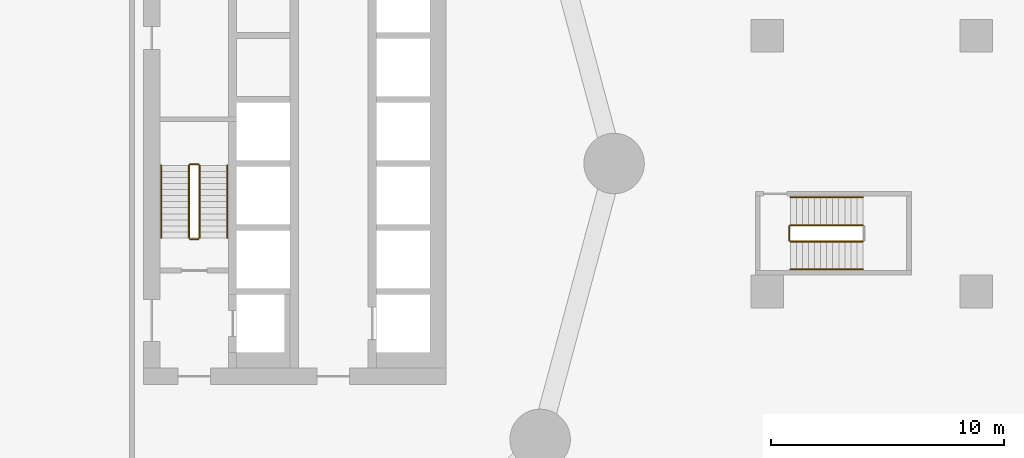
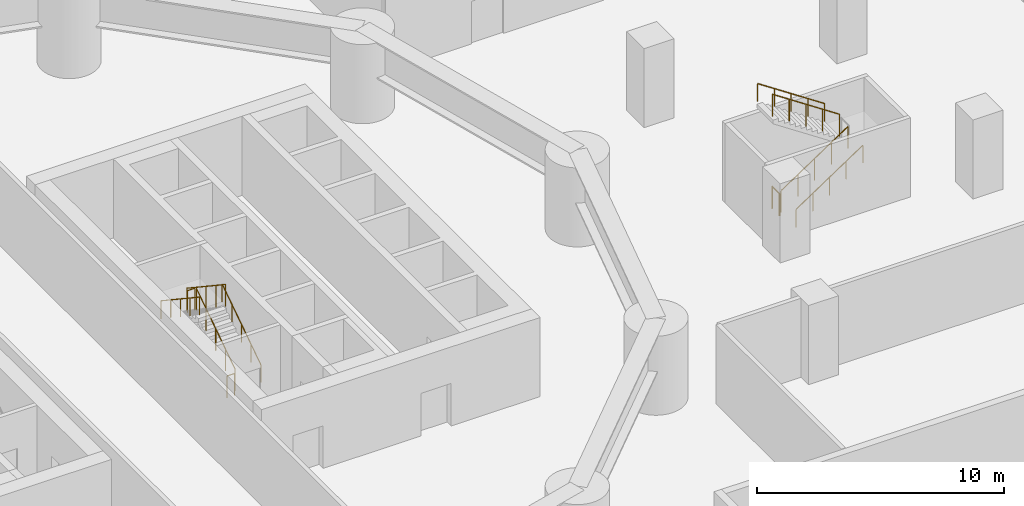
# One storey, part 14 of 16: 11 railings.
"""IFC4 building model written with IfcOpenShell, lengths in metres."""

from ifc_helpers import new_model, si_unit, direction, frame, origin, origin_2d, place, context, subcontext, project, spatial, circle, extrude, material, type_object, element, save


model = new_model("IFC4")

# Units and contexts
model_context = context("Model", 3, precision=1e-05, world=origin(), true_north=direction((0.0, 1.0)))
body_context = subcontext(model_context, "Body", "Model", "MODEL_VIEW")
ifc_project = project(units=[si_unit("LENGTHUNIT", "METRE"), si_unit("AREAUNIT", "SQUARE_METRE"), si_unit("VOLUMEUNIT", "CUBIC_METRE"), si_unit("PLANEANGLEUNIT", "RADIAN"), si_unit("MASSUNIT", "GRAM", prefix="KILO")], contexts=[model_context])

# Site, building, storey
site_placement = place(None, origin())
site = spatial("IfcSite", under=ifc_project, at=site_placement, CompositionType="ELEMENT")
building_placement = place(site_placement, origin())
building = spatial("IfcBuilding", under=site, at=building_placement, Name="Tamarind Cross Interchange Tower", CompositionType="ELEMENT")
storey_placement = place(building_placement, frame((0.0, 0.0, 25.0)))
storey = spatial("IfcBuildingStorey", under=building, at=storey_placement, Name="L04", CompositionType="ELEMENT", Elevation=25.0)

# Railings
ifc_material_1 = material(Name="Stair guard")
railing_type_1 = type_object("IfcRailingType", Name="Stair guard", PredefinedType="GUARDRAIL", material=ifc_material_1)
railing_1_placement = place(storey_placement, frame((5.89990234375, -3.199951171875, 0.173095703125)))
element("IfcRailing", 1, at=railing_1_placement, inside=storey, type_object=railing_type_1, Name="L04 ST2 stair guard 1", PredefinedType="GUARDRAIL", context=body_context, shape_type="SweptSolid", body=[
    extrude(circle(Radius=0.02392578125, at=origin_2d()), frame((0.0, 0.0, 1.076171875), z_axis=(0.0, 0.832420903958, 0.554143879018), x_axis=(-1.0, 0.0, 0.0)), (0.0, 0.0, 1.0), 3.748046875),
    extrude(circle(Radius=0.02099609375, at=origin_2d()), origin(), (0.0, 0.0, 1.0), 1.052001953125),
    extrude(circle(Radius=0.02099609375, at=origin_2d()), frame((0.0, 0.780029296875, 0.519287109375)), (0.0, 0.0, 1.0), 1.052001953125),
    extrude(circle(Radius=0.02099609375, at=origin_2d()), frame((0.0, 1.56005859375, 1.03857421875)), (0.0, 0.0, 1.0), 1.052001953125),
    extrude(circle(Radius=0.02099609375, at=origin_2d()), frame((0.0, 2.33984375, 1.5576171875)), (0.0, 0.0, 1.0), 1.052001953125),
    extrude(circle(Radius=0.02099609375, at=origin_2d()), frame((0.0, 3.119873046875, 2.076904296875)), (0.0, 0.0, 1.0), 1.052001953125),
])
railing_2_placement = place(storey_placement, frame((5.85009765625, -0.030029296875, 2.25)))
element("IfcRailing", 2, at=railing_2_placement, inside=storey, type_object=railing_type_1, Name="L04 ST2 stair guard 2", PredefinedType="GUARDRAIL", context=body_context, shape_type="SweptSolid", body=[
    extrude(circle(Radius=0.02392578125, at=origin_2d()), frame((0.0, 0.0, 1.076171875), z_axis=(-1.0, 0.0, 0.0), x_axis=(0.0, -1.0, 0.0)), (0.0, 0.0, 1.0), 0.35009765625),
    extrude(circle(Radius=0.02099609375, at=origin_2d()), origin(), (0.0, 0.0, 1.0), 1.052001953125),
    extrude(circle(Radius=0.02099609375, at=origin_2d()), frame((-0.35009765625, 0.0, 0.0)), (0.0, 0.0, 1.0), 1.052001953125),
])
railing_3_placement = place(storey_placement, frame((5.449951171875, -0.080078125, 2.423095703125)))
element("IfcRailing", 3, at=railing_3_placement, inside=storey, type_object=railing_type_1, Name="L04 ST2 stair guard 3", PredefinedType="GUARDRAIL", context=body_context, shape_type="SweptSolid", body=[
    extrude(circle(Radius=0.02392578125, at=origin_2d()), frame((0.0, 0.0, 1.076171875), z_axis=(0.0, -0.832420903958, 0.554143879018), x_axis=(1.0, 0.0, 0.0)), (0.0, 0.0, 1.0), 3.748046875),
    extrude(circle(Radius=0.02099609375, at=origin_2d()), origin(), (0.0, 0.0, 1.0), 1.052001953125),
    extrude(circle(Radius=0.02099609375, at=origin_2d()), frame((0.0, -0.780029296875, 0.519287109375)), (0.0, 0.0, 1.0), 1.052001953125),
    extrude(circle(Radius=0.02099609375, at=origin_2d()), frame((0.0, -1.56005859375, 1.03857421875)), (0.0, 0.0, 1.0), 1.052001953125),
    extrude(circle(Radius=0.02099609375, at=origin_2d()), frame((0.0, -2.33984375, 1.5576171875)), (0.0, 0.0, 1.0), 1.052001953125),
    extrude(circle(Radius=0.02099609375, at=origin_2d()), frame((0.0, -3.119873046875, 2.076904296875)), (0.0, 0.0, 1.0), 1.052001953125),
])
railing_4_placement = place(storey_placement, frame((5.85009765625, -3.25, 0.0)))
element("IfcRailing", 4, at=railing_4_placement, inside=storey, type_object=railing_type_1, Name="L04 ST2 stair guard 4", PredefinedType="GUARDRAIL", context=body_context, shape_type="SweptSolid", body=[
    extrude(circle(Radius=0.02392578125, at=origin_2d()), frame((0.0, 0.0, 1.076171875), z_axis=(-1.0, 0.0, 0.0), x_axis=(0.0, -1.0, 0.0)), (0.0, 0.0, 1.0), 0.35009765625),
    extrude(circle(Radius=0.02099609375, at=origin_2d()), origin(), (0.0, 0.0, 1.0), 1.052001953125),
    extrude(circle(Radius=0.02099609375, at=origin_2d()), frame((-0.35009765625, 0.0, 0.0)), (0.0, 0.0, 1.0), 1.052001953125),
])
railing_5_placement = place(storey_placement, frame((31.300048828125, -3.35009765625, 0.173095703125)))
element("IfcRailing", 5, at=railing_5_placement, inside=storey, type_object=railing_type_1, Name="L04 ST3 stair guard 1", PredefinedType="GUARDRAIL", context=body_context, shape_type="SweptSolid", body=[
    extrude(circle(Radius=0.02392578125, at=origin_2d()), frame((0.0, 0.0, 1.076171875), z_axis=(0.832420903958, 0.0, 0.554143879018), x_axis=(0.0, 1.0, 0.0)), (0.0, 0.0, 1.0), 3.748046875),
    extrude(circle(Radius=0.02099609375, at=origin_2d()), origin(), (0.0, 0.0, 1.0), 1.052001953125),
    extrude(circle(Radius=0.02099609375, at=origin_2d()), frame((0.780029296875, 0.0, 0.519287109375)), (0.0, 0.0, 1.0), 1.052001953125),
    extrude(circle(Radius=0.02099609375, at=origin_2d()), frame((1.56005859375, 0.0, 1.03857421875)), (0.0, 0.0, 1.0), 1.052001953125),
    extrude(circle(Radius=0.02099609375, at=origin_2d()), frame((2.33984375, 0.0, 1.5576171875)), (0.0, 0.0, 1.0), 1.052001953125),
    extrude(circle(Radius=0.02099609375, at=origin_2d()), frame((3.119873046875, 0.0, 2.076904296875)), (0.0, 0.0, 1.0), 1.052001953125),
])
railing_6_placement = place(storey_placement, frame((34.419921875, -2.64990234375, 2.423095703125)))
element("IfcRailing", 6, at=railing_6_placement, inside=storey, type_object=railing_type_1, Name="L04 ST3 stair guard 3", PredefinedType="GUARDRAIL", context=body_context, shape_type="SweptSolid", body=[
    extrude(circle(Radius=0.02392578125, at=origin_2d()), frame((0.0, 0.0, 1.076171875), z_axis=(-0.832420903958, 0.0, 0.554143879018), x_axis=(0.0, -1.0, 0.0)), (0.0, 0.0, 1.0), 3.748046875),
    extrude(circle(Radius=0.02099609375, at=origin_2d()), origin(), (0.0, 0.0, 1.0), 1.052001953125),
    extrude(circle(Radius=0.02099609375, at=origin_2d()), frame((-0.780029296875, 0.0, 0.519287109375)), (0.0, 0.0, 1.0), 1.052001953125),
    extrude(circle(Radius=0.02099609375, at=origin_2d()), frame((-1.56005859375, 0.0, 1.03857421875)), (0.0, 0.0, 1.0), 1.052001953125),
    extrude(circle(Radius=0.02099609375, at=origin_2d()), frame((-2.33984375, 0.0, 1.5576171875)), (0.0, 0.0, 1.0), 1.052001953125),
    extrude(circle(Radius=0.02099609375, at=origin_2d()), frame((-3.119873046875, 0.0, 2.076904296875)), (0.0, 0.0, 1.0), 1.052001953125),
])
railing_7_placement = place(storey_placement, frame((31.25, -3.300048828125, 0.0)))
element("IfcRailing", 7, at=railing_7_placement, inside=storey, type_object=railing_type_1, Name="L04 ST3 stair guard 4", PredefinedType="GUARDRAIL", context=body_context, shape_type="SweptSolid", body=[
    extrude(circle(Radius=0.02392578125, at=origin_2d()), frame((0.0, 0.0, 1.076171875), z_axis=(0.0, 1.0, 0.0), x_axis=(-1.0, 0.0, 0.0)), (0.0, 0.0, 1.0), 0.60009765625),
    extrude(circle(Radius=0.02099609375, at=origin_2d()), origin(), (0.0, 0.0, 1.0), 1.052001953125),
    extrude(circle(Radius=0.02099609375, at=origin_2d()), frame((0.0, 0.60009765625, 0.0)), (0.0, 0.0, 1.0), 1.052001953125),
])
ifc_material_2 = material(Name="Stair handrail")
railing_type_2 = type_object("IfcRailingType", Name="Stair handrail", PredefinedType="HANDRAIL", material=ifc_material_2)
railing_8_placement = place(storey_placement, frame((7.10009765625, -3.199951171875, 0.173095703125)))
element("IfcRailing", 8, at=railing_8_placement, inside=storey, type_object=railing_type_2, Name="L04 ST2 stair handrail 1", PredefinedType="HANDRAIL", context=body_context, shape_type="SweptSolid", body=[
    extrude(circle(Radius=0.02392578125, at=origin_2d()), frame((0.0, 0.0, 0.8759765625), z_axis=(0.0, 0.832420903958, 0.554143879018), x_axis=(-1.0, 0.0, 0.0)), (0.0, 0.0, 1.0), 3.748046875),
    extrude(circle(Radius=0.02099609375, at=origin_2d()), origin(), (0.0, 0.0, 1.0), 0.851806640625),
    extrude(circle(Radius=0.02099609375, at=origin_2d()), frame((0.0, 0.780029296875, 0.519287109375)), (0.0, 0.0, 1.0), 0.851806640625),
    extrude(circle(Radius=0.02099609375, at=origin_2d()), frame((0.0, 1.56005859375, 1.03857421875)), (0.0, 0.0, 1.0), 0.851806640625),
    extrude(circle(Radius=0.02099609375, at=origin_2d()), frame((0.0, 2.33984375, 1.5576171875)), (0.0, 0.0, 1.0), 0.851806640625),
    extrude(circle(Radius=0.02099609375, at=origin_2d()), frame((0.0, 3.119873046875, 2.076904296875)), (0.0, 0.0, 1.0), 0.851806640625),
])
railing_9_placement = place(storey_placement, frame((4.25, -0.080078125, 2.423095703125)))
element("IfcRailing", 9, at=railing_9_placement, inside=storey, type_object=railing_type_2, Name="L04 ST2 stair handrail 2", PredefinedType="HANDRAIL", context=body_context, shape_type="SweptSolid", body=[
    extrude(circle(Radius=0.02392578125, at=origin_2d()), frame((0.0, 0.0, 0.8759765625), z_axis=(0.0, -0.832420903958, 0.554143879018), x_axis=(1.0, 0.0, 0.0)), (0.0, 0.0, 1.0), 3.748046875),
    extrude(circle(Radius=0.02099609375, at=origin_2d()), origin(), (0.0, 0.0, 1.0), 0.851806640625),
    extrude(circle(Radius=0.02099609375, at=origin_2d()), frame((0.0, -0.780029296875, 0.519287109375)), (0.0, 0.0, 1.0), 0.851806640625),
    extrude(circle(Radius=0.02099609375, at=origin_2d()), frame((0.0, -1.56005859375, 1.03857421875)), (0.0, 0.0, 1.0), 0.851806640625),
    extrude(circle(Radius=0.02099609375, at=origin_2d()), frame((0.0, -2.33984375, 1.5576171875)), (0.0, 0.0, 1.0), 0.851806640625),
    extrude(circle(Radius=0.02099609375, at=origin_2d()), frame((0.0, -3.119873046875, 2.076904296875)), (0.0, 0.0, 1.0), 0.851806640625),
])
railing_10_placement = place(storey_placement, frame((31.300048828125, -4.550048828125, 0.173095703125)))
element("IfcRailing", 10, at=railing_10_placement, inside=storey, type_object=railing_type_2, Name="L04 ST3 stair handrail 1", PredefinedType="HANDRAIL", context=body_context, shape_type="SweptSolid", body=[
    extrude(circle(Radius=0.02392578125, at=origin_2d()), frame((0.0, 0.0, 0.8759765625), z_axis=(0.832420903958, 0.0, 0.554143879018), x_axis=(0.0, 1.0, 0.0)), (0.0, 0.0, 1.0), 3.748046875),
    extrude(circle(Radius=0.02099609375, at=origin_2d()), origin(), (0.0, 0.0, 1.0), 0.851806640625),
    extrude(circle(Radius=0.02099609375, at=origin_2d()), frame((0.780029296875, 0.0, 0.519287109375)), (0.0, 0.0, 1.0), 0.851806640625),
    extrude(circle(Radius=0.02099609375, at=origin_2d()), frame((1.56005859375, 0.0, 1.03857421875)), (0.0, 0.0, 1.0), 0.851806640625),
    extrude(circle(Radius=0.02099609375, at=origin_2d()), frame((2.33984375, 0.0, 1.5576171875)), (0.0, 0.0, 1.0), 0.851806640625),
    extrude(circle(Radius=0.02099609375, at=origin_2d()), frame((3.119873046875, 0.0, 2.076904296875)), (0.0, 0.0, 1.0), 0.851806640625),
])
railing_11_placement = place(storey_placement, frame((34.419921875, -1.449951171875, 2.423095703125)))
element("IfcRailing", 11, at=railing_11_placement, inside=storey, type_object=railing_type_2, Name="L04 ST3 stair handrail 2", PredefinedType="HANDRAIL", context=body_context, shape_type="SweptSolid", body=[
    extrude(circle(Radius=0.02392578125, at=origin_2d()), frame((0.0, 0.0, 0.8759765625), z_axis=(-0.832420903958, 0.0, 0.554143879018), x_axis=(0.0, -1.0, 0.0)), (0.0, 0.0, 1.0), 3.748046875),
    extrude(circle(Radius=0.02099609375, at=origin_2d()), origin(), (0.0, 0.0, 1.0), 0.851806640625),
    extrude(circle(Radius=0.02099609375, at=origin_2d()), frame((-0.780029296875, 0.0, 0.519287109375)), (0.0, 0.0, 1.0), 0.851806640625),
    extrude(circle(Radius=0.02099609375, at=origin_2d()), frame((-1.56005859375, 0.0, 1.03857421875)), (0.0, 0.0, 1.0), 0.851806640625),
    extrude(circle(Radius=0.02099609375, at=origin_2d()), frame((-2.33984375, 0.0, 1.5576171875)), (0.0, 0.0, 1.0), 0.851806640625),
    extrude(circle(Radius=0.02099609375, at=origin_2d()), frame((-3.119873046875, 0.0, 2.076904296875)), (0.0, 0.0, 1.0), 0.851806640625),
])

save(model, "model.ifc")
